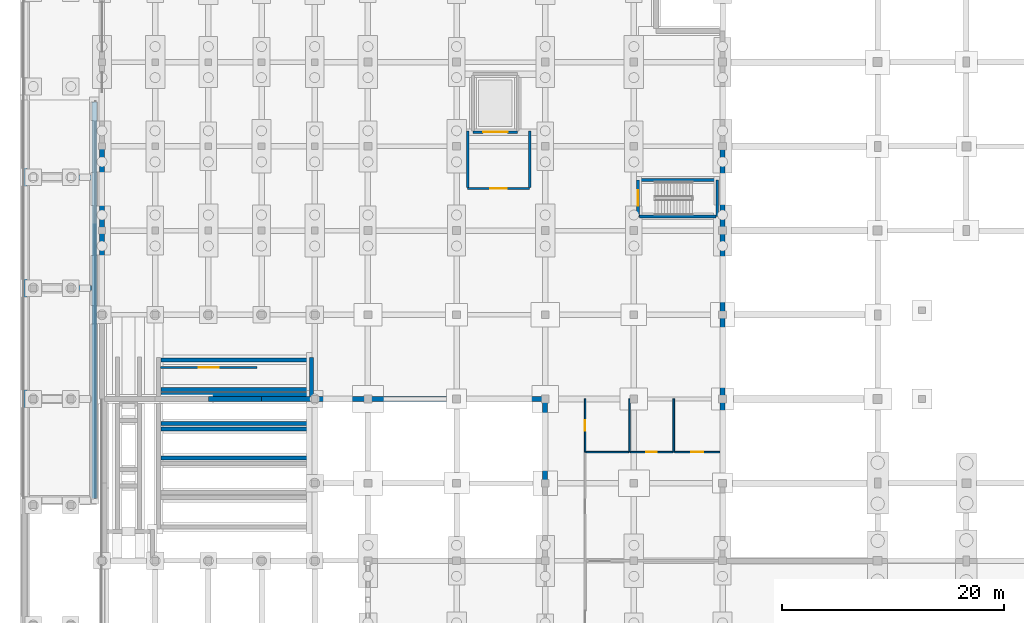
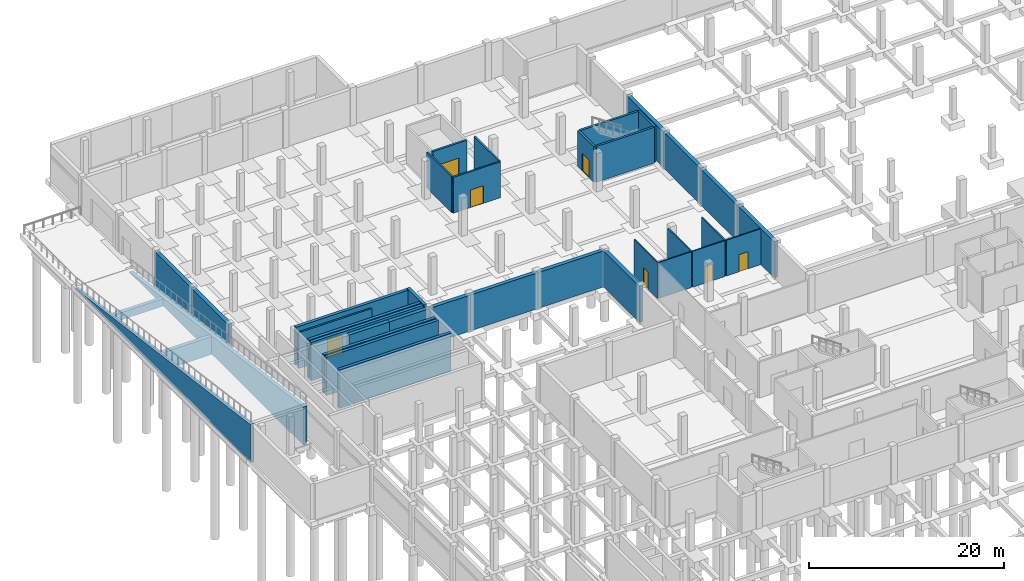
# One storey, part 35 of 50: 38 walls, 7 doors, 7 openings.
"""IFC4 building model written with IfcOpenShell, lengths in metres."""

from ifc_helpers import new_model, si_unit, direction, frame, frame_2d, origin, place, context, subcontext, project, spatial, polyline, rectangle, outline, extrude, material, layer, layer_set, type_object, element, fill, save


model = new_model("IFC4")

# Units and contexts
model_context = context("Model", 3, precision=1e-05, world=origin(), true_north=direction((0.0, 1.0)))
body_context = subcontext(model_context, "Body", "Model", "MODEL_VIEW")
ifc_project = project(units=[si_unit("LENGTHUNIT", "METRE"), si_unit("AREAUNIT", "SQUARE_METRE"), si_unit("VOLUMEUNIT", "CUBIC_METRE"), si_unit("PLANEANGLEUNIT", "RADIAN"), si_unit("MASSUNIT", "GRAM", prefix="KILO")], contexts=[model_context])

# Site, building, storey
site_placement = place(None, origin())
site = spatial("IfcSite", under=ifc_project, at=site_placement, CompositionType="ELEMENT")
building_placement = place(site_placement, origin())
building = spatial("IfcBuilding", under=site, at=building_placement, Name="Vekula Escarpment Museum", CompositionType="ELEMENT")
storey_placement = place(building_placement, frame((0.0, 0.0, -4.800048828125)))
storey = spatial("IfcBuildingStorey", under=building, at=storey_placement, Name="B1", CompositionType="ELEMENT", Elevation=-4.800048828125)

# Walls
ifc_material_1 = material(Name="Inkisi arkosic sandstone masonry", Category="masonry")
ifc_layer_1 = layer(ifc_material_1, 0.360107421875)
ifc_layer_set_1 = layer_set([ifc_layer_1], Name="Inkisi arkosic sandstone masonry")
wall_type_1 = type_object("IfcWallType", Name="WL-AMP-CHEEK", PredefinedType="SOLIDWALL", material=ifc_layer_set_1)
wall_1_placement = place(storey_placement, frame((18.89990234375, 98.22900390625, 0.0), z_axis=(0.0, 0.0, 1.0), x_axis=(0.0, 1.0, 0.0)))
element("IfcWall", 1, at=wall_1_placement, inside=storey, type_object=wall_type_1, Name="Escarpment Plinth Bowl Sub-Wall N-E", PredefinedType="SOLIDWALL", context=body_context, shape_type="SweptSolid", body=[
    extrude(rectangle(XDim=3.52099609375, YDim=0.360107421875, at=frame_2d((1.760498046875, 0.0))), origin(), (0.0, 0.0, 1.0), 4.800048828125),
])
for number, where, z_axis, x_axis, name in (
    (2, (5.35009765625, 98.8701171875, 0.0), (0.0, 0.0, 1.0), (1.0, 0.0, 0.0), "Escarpment Plinth Bench Sub-Wall 06F"),
    (3, (5.35009765625, 101.530029296875, 0.0), (0.0, 0.0, 1.0), (1.0, 0.0, 0.0), "Escarpment Plinth Bench Sub-Wall 06B"),
    (4, (5.35009765625, 95.77001953125, 0.0), (0.0, 0.0, 1.0), (1.0, 0.0, 0.0), "Escarpment Plinth Bench Sub-Wall 07F"),
    (5, (5.35009765625, 98.39990234375, 0.0), (0.0, 0.0, 1.0), (1.0, 0.0, 0.0), "Escarpment Plinth Bench Sub-Wall 07B"),
    (6, (5.35009765625, 92.669921875, 0.0), (0.0, 0.0, 1.0), (1.0, 0.0, 0.0), "Escarpment Plinth Bench Sub-Wall 08F"),
    (7, (5.35009765625, 95.300048828125, 0.0), (0.0, 0.0, 1.0), (1.0, 0.0, 0.0), "Escarpment Plinth Bench Sub-Wall 08B"),
):
    element("IfcWall", number, at=place(storey_placement, frame(where, z_axis=z_axis, x_axis=x_axis)), inside=storey, type_object=wall_type_1, Name=name, PredefinedType="SOLIDWALL", context=body_context, shape_type="SweptSolid", body=[
        extrude(rectangle(XDim=13.2998046875, YDim=0.360107421875, at=frame_2d((6.64990234375, 0.0))), origin(), (0.0, 0.0, 1.0), 4.800048828125),
    ])

# Wall, opening, door
ifc_material_2 = material(Name="Concrete C35/45", Category="concrete")
ifc_layer_2 = layer(ifc_material_2, 0.25)
ifc_layer_set_2 = layer_set([ifc_layer_2], Name="Concrete C35/45")
wall_type_2 = type_object("IfcWallType", Name="WL-CORE-250", PredefinedType="SHEAR", material=ifc_layer_set_2)
wall_2_placement = place(storey_placement, frame((48.375, 114.47509765625, 0.0), z_axis=(0.0, 0.0, 1.0), x_axis=(0.0, 1.0, 0.0)))
wall_2 = element("IfcWall", 8, at=wall_2_placement, inside=storey, type_object=wall_type_2, Name="Stair Core Wall ST-03 B1 W", PredefinedType="SHEAR", context=body_context, shape_type="SweptSolid", body=[
    extrude(rectangle(XDim=3.289794921875, YDim=0.25, at=frame_2d((1.64501953125, 0.0))), origin(), (0.0, 0.0, 1.0), 4.5),
])
opening_1_placement = place(wall_2_placement, frame((0.945068359375, 0.0, 0.0)))
opening_1 = element("IfcOpeningElement", 9, at=opening_1_placement, cuts=wall_2, Name="Opening DR-FD60", PredefinedType="OPENING", context=body_context, shape_type="SweptSolid", body=[
    extrude(rectangle(XDim=1.39990234375, YDim=2.199951171875, at=frame_2d((0.699951171875, 1.10009765625))), frame((0.0, 0.135009765625, 0.0), z_axis=(0.0, -1.0, 0.0), x_axis=(1.0, 0.0, 0.0)), (0.0, 0.0, 1.0), 0.27001953125),
])
ifc_material_3 = material(Name="Fire-rated steel stair door", Category="steel")
door_type_1 = type_object("IfcDoorType", Name="DR-STAIR-1400x2200", OperationType="NOTDEFINED", PredefinedType="DOOR", material=ifc_material_3)
door_1_placement = place(opening_1_placement, origin())
door_1 = element("IfcDoor", 10, at=door_1_placement, inside=storey, type_object=door_type_1, Name="Protected Exit Stair Door ST-03 B1", OperationType="SINGLE_SWING_RIGHT", OverallHeight=2.199951171875, OverallWidth=1.39990234375, PredefinedType="DOOR", context=body_context, shape_type="SweptSolid", body=[
    extrude(rectangle(XDim=1.39990234375, YDim=2.199951171875, at=frame_2d((0.699951171875, 1.10009765625))), frame((0.0, 0.02490234375, 0.0), z_axis=(0.0, -1.0, 0.0), x_axis=(1.0, 0.0, 0.0)), (0.0, 0.0, 1.0), 0.050048828125),
])
fill(opening_1, door_1)

# Walls
wall_3_placement = place(storey_placement, frame((55.52490234375, 114.47509765625, 0.0), z_axis=(0.0, 0.0, 1.0), x_axis=(0.0, 1.0, 0.0)))
element("IfcWall", 11, at=wall_3_placement, inside=storey, type_object=wall_type_2, Name="Stair Core Wall ST-03 B1 E", PredefinedType="SHEAR", context=body_context, shape_type="SweptSolid", body=[
    extrude(rectangle(XDim=3.289794921875, YDim=0.25, at=frame_2d((1.64501953125, 0.0))), origin(), (0.0, 0.0, 1.0), 4.5),
])
for number, where, z_axis, x_axis, name in (
    (12, (48.50390625, 114.47509765625, 0.0), (0.0, 0.0, 1.0), (1.0, 0.0, 0.0), "Stair Core Wall ST-03 B1 S"),
    (13, (48.50390625, 117.764892578125, 0.0), (0.0, 0.0, 1.0), (1.0, 0.0, 0.0), "Stair Core Wall ST-03 B1 N"),
):
    element("IfcWall", number, at=place(storey_placement, frame(where, z_axis=z_axis, x_axis=x_axis)), inside=storey, type_object=wall_type_2, Name=name, PredefinedType="SHEAR", context=body_context, shape_type="SweptSolid", body=[
        extrude(rectangle(XDim=6.89208984375, YDim=0.25, at=frame_2d((3.446044921875, 0.0))), origin(), (0.0, 0.0, 1.0), 4.5),
    ])

# Wall, opening, door
ifc_material_4 = material(Name="Concrete C35/45", Category="concrete")
ifc_layer_3 = layer(ifc_material_4, 0.199951171875)
ifc_layer_set_3 = layer_set([ifc_layer_3], Name="Concrete C35/45")
wall_type_3 = type_object("IfcWallType", Name="WL-FFL-200", PredefinedType="PARTITIONING", material=ifc_layer_set_3)
wall_4_placement = place(storey_placement, frame((33.0, 117.0, 0.0), z_axis=(0.0, 0.0, 1.0), x_axis=(1.0, 0.0, 0.0)))
wall_4 = element("IfcWall", 14, at=wall_4_placement, inside=storey, type_object=wall_type_3, Name="Lift Lobby Wall GL-01 B1 S", PredefinedType="PARTITIONING", context=body_context, shape_type="SweptSolid", body=[
    extrude(rectangle(XDim=5.60009765625, YDim=0.199951171875, at=frame_2d((2.800048828125, 0.0))), origin(), (0.0, 0.0, 1.0), 4.5),
])
opening_2_placement = place(wall_4_placement, frame((2.050048828125, 0.0, 0.0)))
opening_2 = element("IfcOpeningElement", 15, at=opening_2_placement, cuts=wall_4, Name="Opening DR-FD60L", PredefinedType="OPENING", context=body_context, shape_type="SweptSolid", body=[
    extrude(rectangle(XDim=1.5, YDim=2.199951171875, at=frame_2d((0.75, 1.10009765625))), frame((0.0, 0.10986328125, 0.0), z_axis=(0.0, -1.0, 0.0), x_axis=(1.0, 0.0, 0.0)), (0.0, 0.0, 1.0), 0.219970703125),
])
ifc_material_5 = material(Name="Fire-rated glazed lobby door", Category="steel")
door_type_2 = type_object("IfcDoorType", Name="DR-FFLOB-1500x2200", OperationType="NOTDEFINED", PredefinedType="DOOR", material=ifc_material_5)
door_2_placement = place(opening_2_placement, origin())
door_2 = element("IfcDoor", 16, at=door_2_placement, inside=storey, type_object=door_type_2, Name="Lift Lobby Fire Door GL-01 B1", OperationType="SINGLE_SWING_RIGHT", OverallHeight=2.199951171875, OverallWidth=1.5, PredefinedType="DOOR", context=body_context, shape_type="SweptSolid", body=[
    extrude(rectangle(XDim=1.5, YDim=2.199951171875, at=frame_2d((0.75, 1.10009765625))), frame((0.0, 0.02490234375, 0.0), z_axis=(0.0, -1.0, 0.0), x_axis=(1.0, 0.0, 0.0)), (0.0, 0.0, 1.0), 0.050048828125),
])
fill(opening_2, door_2)

# Walls
for number, where, z_axis, x_axis, name in (
    (17, (33.0, 117.10400390625, 0.0), (0.0, 0.0, 1.0), (0.0, 1.0, 0.0), "Lift Lobby Wall GL-01 B1 W"),
    (18, (38.60009765625, 117.10400390625, 0.0), (0.0, 0.0, 1.0), (0.0, 1.0, 0.0), "Lift Lobby Wall GL-01 B1 E"),
):
    element("IfcWall", number, at=place(storey_placement, frame(where, z_axis=z_axis, x_axis=x_axis)), inside=storey, type_object=wall_type_3, Name=name, PredefinedType="PARTITIONING", context=body_context, shape_type="SweptSolid", body=[
        extrude(rectangle(XDim=5.095947265625, YDim=0.199951171875, at=frame_2d((2.5478515625, 0.0))), origin(), (0.0, 0.0, 1.0), 4.5),
    ])

# Wall, opening, door
wall_5_placement = place(storey_placement, frame((5.283935546875, 100.85009765625, 0.0), z_axis=(0.0, 0.0, 1.0), x_axis=(1.0, 0.0, 0.0)))
wall_5 = element("IfcWall", 19, at=wall_5_placement, inside=storey, type_object=wall_type_3, Name="Interior Partition WL-INT-B1-0001", PredefinedType="PARTITIONING", context=body_context, shape_type="SweptSolid", body=[
    extrude(rectangle(XDim=8.716064453125, YDim=0.199951171875, at=frame_2d((4.35791015625, 0.0))), origin(), (0.0, 0.0, 1.0), 4.5),
])
opening_3_placement = place(wall_5_placement, frame((3.4580078125, 0.0, 0.0)))
opening_3 = element("IfcOpeningElement", 20, at=opening_3_placement, cuts=wall_5, Name="Opening DR-FD120", PredefinedType="OPENING", context=body_context, shape_type="SweptSolid", body=[
    extrude(rectangle(XDim=1.800048828125, YDim=2.39990234375, at=frame_2d((0.89990234375, 1.199951171875))), frame((0.0, 0.10986328125, 0.0), z_axis=(0.0, -1.0, 0.0), x_axis=(1.0, 0.0, 0.0)), (0.0, 0.0, 1.0), 0.219970703125),
])
ifc_material_6 = material(Name="Fire-rated steel archive vault door", Category="steel")
door_type_3 = type_object("IfcDoorType", Name="DR-VAULT-1800x2400", OperationType="NOTDEFINED", PredefinedType="DOOR", material=ifc_material_6)
door_3_placement = place(opening_3_placement, origin())
door_3 = element("IfcDoor", 21, at=door_3_placement, inside=storey, type_object=door_type_3, Name="Interior Door B1-001", OperationType="SINGLE_SWING_LEFT", OverallHeight=2.39990234375, OverallWidth=1.800048828125, PredefinedType="DOOR", context=body_context, shape_type="SweptSolid", body=[
    extrude(rectangle(XDim=1.800048828125, YDim=2.39990234375, at=frame_2d((0.89990234375, 1.199951171875))), frame((0.0, 0.02490234375, 0.0), z_axis=(0.0, -1.0, 0.0), x_axis=(1.0, 0.0, 0.0)), (0.0, 0.0, 1.0), 0.050048828125),
])
fill(opening_3, door_3)

ifc_material_7 = material(Name="Moisture-resistant wet-room partition", Category="gypsum")
ifc_layer_4 = layer(ifc_material_7, 0.139892578125)
ifc_layer_set_4 = layer_set([ifc_layer_4], Name="Moisture-resistant wet-room partition")
wall_type_4 = type_object("IfcWallType", Name="WL-PART-140", PredefinedType="PARTITIONING", material=ifc_layer_set_4)
wall_6_placement = place(storey_placement, frame((43.60009765625, 93.199951171875, 0.0), z_axis=(0.0, 0.0, 1.0), x_axis=(0.0, 1.0, 0.0)))
wall_6 = element("IfcWall", 22, at=wall_6_placement, inside=storey, type_object=wall_type_4, Name="Interior Partition WL-INT-B1-0002", PredefinedType="PARTITIONING", context=body_context, shape_type="SweptSolid", body=[
    extrude(rectangle(XDim=4.800048828125, YDim=0.139892578125, at=frame_2d((2.39990234375, 0.0))), origin(), (0.0, 0.0, 1.0), 4.5),
])
opening_4_placement = place(wall_6_placement, frame((1.925048828125, 0.0, 0.0)))
opening_4 = element("IfcOpeningElement", 23, at=opening_4_placement, cuts=wall_6, Name="Opening DR-WC09", PredefinedType="OPENING", context=body_context, shape_type="SweptSolid", body=[
    extrude(rectangle(XDim=0.949951171875, YDim=2.10009765625, at=frame_2d((0.47509765625, 1.050048828125))), frame((0.0, 0.079833984375, 0.0), z_axis=(0.0, -1.0, 0.0), x_axis=(1.0, 0.0, 0.0)), (0.0, 0.0, 1.0), 0.159912109375),
])
ifc_material_8 = material(Name="Laminate washroom door", Category="wood")
door_type_4 = type_object("IfcDoorType", Name="DR-WC-0950x2100", OperationType="NOTDEFINED", PredefinedType="DOOR", material=ifc_material_8)
door_4_placement = place(opening_4_placement, origin())
door_4 = element("IfcDoor", 24, at=door_4_placement, inside=storey, type_object=door_type_4, Name="Interior Door B1-002", OperationType="SINGLE_SWING_RIGHT", OverallHeight=2.10009765625, OverallWidth=0.949951171875, PredefinedType="DOOR", context=body_context, shape_type="SweptSolid", body=[
    extrude(rectangle(XDim=0.949951171875, YDim=2.10009765625, at=frame_2d((0.47509765625, 1.050048828125))), frame((0.0, 0.02490234375, 0.0), z_axis=(0.0, -1.0, 0.0), x_axis=(1.0, 0.0, 0.0)), (0.0, 0.0, 1.0), 0.050048828125),
])
fill(opening_4, door_4)

# Walls
wall_7_placement = place(storey_placement, frame((47.60009765625, 93.199951171875, 0.0), z_axis=(0.0, 0.0, 1.0), x_axis=(0.0, 1.0, 0.0)))
element("IfcWall", 25, at=wall_7_placement, inside=storey, type_object=wall_type_4, Name="Interior Partition WL-INT-B1-0004", PredefinedType="PARTITIONING", context=body_context, shape_type="SweptSolid", body=[
    extrude(rectangle(XDim=4.800048828125, YDim=0.139892578125, at=frame_2d((2.39990234375, 0.0))), origin(), (0.0, 0.0, 1.0), 4.5),
])
wall_8_placement = place(storey_placement, frame((43.674072265625, 93.199951171875, 0.0), z_axis=(0.0, 0.0, 1.0), x_axis=(1.0, 0.0, 0.0)))
element("IfcWall", 26, at=wall_8_placement, inside=storey, type_object=wall_type_4, Name="Interior Partition WL-INT-B1-0005", PredefinedType="PARTITIONING", context=body_context, shape_type="SweptSolid", body=[
    extrude(rectangle(XDim=3.851806640625, YDim=0.139892578125, at=frame_2d((1.92578125, 0.0))), origin(), (0.0, 0.0, 1.0), 4.5),
])
wall_9_placement = place(storey_placement, frame((51.60009765625, 93.199951171875, 0.0), z_axis=(0.0, 0.0, 1.0), x_axis=(0.0, 1.0, 0.0)))
element("IfcWall", 27, at=wall_9_placement, inside=storey, type_object=wall_type_4, Name="Interior Partition WL-INT-B1-0006", PredefinedType="PARTITIONING", context=body_context, shape_type="SweptSolid", body=[
    extrude(rectangle(XDim=4.800048828125, YDim=0.139892578125, at=frame_2d((2.39990234375, 0.0))), origin(), (0.0, 0.0, 1.0), 4.5),
])

# Wall, opening, door
wall_10_placement = place(storey_placement, frame((47.674072265625, 93.199951171875, 0.0), z_axis=(0.0, 0.0, 1.0), x_axis=(1.0, 0.0, 0.0)))
wall_10 = element("IfcWall", 28, at=wall_10_placement, inside=storey, type_object=wall_type_4, Name="Interior Partition WL-INT-B1-0007", PredefinedType="PARTITIONING", context=body_context, shape_type="SweptSolid", body=[
    extrude(rectangle(XDim=3.851806640625, YDim=0.139892578125, at=frame_2d((1.92578125, 0.0))), origin(), (0.0, 0.0, 1.0), 4.5),
])
opening_5_placement = place(wall_10_placement, frame((1.450927734375, 0.0, 0.0)))
opening_5 = element("IfcOpeningElement", 29, at=opening_5_placement, cuts=wall_10, Name="Opening DR-WC09", PredefinedType="OPENING", context=body_context, shape_type="SweptSolid", body=[
    extrude(rectangle(XDim=0.949951171875, YDim=2.10009765625, at=frame_2d((0.47509765625, 1.050048828125))), frame((0.0, 0.079833984375, 0.0), z_axis=(0.0, -1.0, 0.0), x_axis=(1.0, 0.0, 0.0)), (0.0, 0.0, 1.0), 0.159912109375),
])
door_5_placement = place(opening_5_placement, origin())
door_5 = element("IfcDoor", 30, at=door_5_placement, inside=storey, type_object=door_type_4, Name="Interior Door B1-004", OperationType="SINGLE_SWING_RIGHT", OverallHeight=2.10009765625, OverallWidth=0.949951171875, PredefinedType="DOOR", context=body_context, shape_type="SweptSolid", body=[
    extrude(rectangle(XDim=0.949951171875, YDim=2.10009765625, at=frame_2d((0.47509765625, 1.050048828125))), frame((0.0, 0.02490234375, 0.0), z_axis=(0.0, -1.0, 0.0), x_axis=(1.0, 0.0, 0.0)), (0.0, 0.0, 1.0), 0.050048828125),
])
fill(opening_5, door_5)

wall_11_placement = place(storey_placement, frame((51.674072265625, 93.199951171875, 0.0), z_axis=(0.0, 0.0, 1.0), x_axis=(1.0, 0.0, 0.0)))
wall_11 = element("IfcWall", 31, at=wall_11_placement, inside=storey, type_object=wall_type_4, Name="Interior Partition WL-INT-B1-0008", PredefinedType="PARTITIONING", context=body_context, shape_type="SweptSolid", body=[
    extrude(rectangle(XDim=4.096923828125, YDim=0.139892578125, at=frame_2d((2.04833984375, 0.0))), origin(), (0.0, 0.0, 1.0), 4.5),
])
opening_6_placement = place(wall_11_placement, frame((1.5234375, 0.0, 0.0)))
opening_6 = element("IfcOpeningElement", 32, at=opening_6_placement, cuts=wall_11, Name="Opening DR-PM10", PredefinedType="OPENING", context=body_context, shape_type="SweptSolid", body=[
    extrude(rectangle(XDim=1.050048828125, YDim=2.14990234375, at=frame_2d((0.52490234375, 1.074951171875))), frame((0.0, 0.079833984375, 0.0), z_axis=(0.0, -1.0, 0.0), x_axis=(1.0, 0.0, 0.0)), (0.0, 0.0, 1.0), 0.159912109375),
])
ifc_material_9 = material(Name="Accessible PMR washroom door", Category="steel")
door_type_5 = type_object("IfcDoorType", Name="DR-PMR-1050x2150", OperationType="NOTDEFINED", PredefinedType="DOOR", material=ifc_material_9)
door_6_placement = place(opening_6_placement, origin())
door_6 = element("IfcDoor", 33, at=door_6_placement, inside=storey, type_object=door_type_5, Name="Interior Door B1-005", OperationType="SINGLE_SWING_LEFT", OverallHeight=2.14990234375, OverallWidth=1.050048828125, PredefinedType="DOOR", context=body_context, shape_type="SweptSolid", body=[
    extrude(rectangle(XDim=1.050048828125, YDim=2.14990234375, at=frame_2d((0.52490234375, 1.074951171875))), frame((0.0, 0.02490234375, 0.0), z_axis=(0.0, -1.0, 0.0), x_axis=(1.0, 0.0, 0.0)), (0.0, 0.0, 1.0), 0.050048828125),
])
fill(opening_6, door_6)

# Walls
ifc_material_10 = material(Name="Concrete C35/45", Category="concrete")
ifc_layer_5 = layer(ifc_material_10, 0.449951171875)
ifc_layer_set_5 = layer_set([ifc_layer_5], Name="Concrete C35/45")
wall_type_5 = type_object("IfcWallType", Name="WL-RET-450", PredefinedType="USERDEFINED", material=ifc_layer_set_5)
for number, where, z_axis, x_axis, name in (
    (34, (56.0, 98.0, 0.0), (0.0, 0.0, 1.0), (0.0, -1.0, 0.0), "Exterior Wall WL-EXT-B1-0020"),
    (35, (56.0, 105.60009765625, 0.0), (0.0, 0.0, 1.0), (0.0, -1.0, 0.0), "Exterior Wall WL-EXT-B1-0021"),
):
    element("IfcWall", number, at=place(storey_placement, frame(where, z_axis=z_axis, x_axis=x_axis)), inside=storey, type_object=wall_type_5, Name=name, ObjectType="RETAINING WALL", PredefinedType="USERDEFINED", context=body_context, shape_type="SweptSolid", body=[
        extrude(rectangle(XDim=7.60009765625, YDim=0.449951171875, at=frame_2d((3.800048828125, 0.0))), origin(), (0.0, 0.0, 1.0), 4.5),
    ])
wall_12_placement = place(storey_placement, frame((56.0, 113.199951171875, 0.0), z_axis=(0.0, 0.0, 1.0), x_axis=(0.0, -1.0, 0.0)))
element("IfcWall", 36, at=wall_12_placement, inside=storey, type_object=wall_type_5, Name="Exterior Wall WL-EXT-B1-0022", ObjectType="RETAINING WALL", PredefinedType="USERDEFINED", context=body_context, shape_type="SweptSolid", body=[
    extrude(rectangle(XDim=7.599853515625, YDim=0.449951171875, at=frame_2d((3.7998046875, 0.0))), origin(), (0.0, 0.0, 1.0), 4.5),
])
for number, where, z_axis, x_axis, name in (
    (37, (56.0, 120.800048828125, 0.0), (0.0, 0.0, 1.0), (0.0, -1.0, 0.0), "Exterior Wall WL-EXT-B1-0023"),
    (38, (0.0, 113.199951171875, 0.0), (0.0, 0.0, 1.0), (0.0, 1.0, 0.0), "Exterior Wall WL-EXT-B1-0039"),
):
    element("IfcWall", number, at=place(storey_placement, frame(where, z_axis=z_axis, x_axis=x_axis)), inside=storey, type_object=wall_type_5, Name=name, ObjectType="RETAINING WALL", PredefinedType="USERDEFINED", context=body_context, shape_type="SweptSolid", body=[
        extrude(rectangle(XDim=7.60009765625, YDim=0.449951171875, at=frame_2d((3.800048828125, 0.0))), origin(), (0.0, 0.0, 1.0), 4.5),
    ])
wall_13_placement = place(storey_placement, frame((0.0, 105.60009765625, 0.0), z_axis=(0.0, 0.0, 1.0), x_axis=(0.0, 1.0, 0.0)))
element("IfcWall", 39, at=wall_13_placement, inside=storey, type_object=wall_type_5, Name="Exterior Wall WL-EXT-B1-0040", ObjectType="RETAINING WALL", PredefinedType="USERDEFINED", context=body_context, shape_type="SweptSolid", body=[
    extrude(rectangle(XDim=7.599853515625, YDim=0.449951171875, at=frame_2d((3.7998046875, 0.0))), origin(), (0.0, 0.0, 1.0), 4.5),
])
wall_14_placement = place(storey_placement, frame((14.39990234375, 98.0, 0.0), z_axis=(0.0, 0.0, 1.0), x_axis=(-1.0, 0.0, 0.0)))
element("IfcWall", 40, at=wall_14_placement, inside=storey, type_object=wall_type_5, Name="Exterior Wall WL-EXT-B1-0044", ObjectType="RETAINING WALL", PredefinedType="USERDEFINED", context=body_context, shape_type="SweptSolid", body=[
    extrude(rectangle(XDim=4.7998046875, YDim=0.449951171875, at=frame_2d((2.39990234375, 0.0))), origin(), (0.0, 0.0, 1.0), 4.5),
])
for number, where, z_axis, x_axis, name in (
    (41, (19.199951171875, 98.0, 0.0), (0.0, 0.0, 1.0), (-1.0, 0.0, 0.0), "Exterior Wall WL-EXT-B1-0045"),
    (42, (24.0, 98.0, 0.0), (0.0, 0.0, 1.0), (-1.0, 0.0, 0.0), "Exterior Wall WL-EXT-B1-0046"),
):
    element("IfcWall", number, at=place(storey_placement, frame(where, z_axis=z_axis, x_axis=x_axis)), inside=storey, type_object=wall_type_5, Name=name, ObjectType="RETAINING WALL", PredefinedType="USERDEFINED", context=body_context, shape_type="SweptSolid", body=[
        extrude(rectangle(XDim=4.800048828125, YDim=0.449951171875, at=frame_2d((2.39990234375, 0.0))), origin(), (0.0, 0.0, 1.0), 4.5),
    ])
for number, where, z_axis, x_axis, name in (
    (43, (32.0, 98.0, 0.0), (0.0, 0.0, 1.0), (-1.0, 0.0, 0.0), "Exterior Wall WL-EXT-B1-0047"),
    (44, (40.0, 98.0, 0.0), (0.0, 0.0, 1.0), (-1.0, 0.0, 0.0), "Exterior Wall WL-EXT-B1-0048"),
):
    element("IfcWall", number, at=place(storey_placement, frame(where, z_axis=z_axis, x_axis=x_axis)), inside=storey, type_object=wall_type_5, Name=name, ObjectType="RETAINING WALL", PredefinedType="USERDEFINED", context=body_context, shape_type="SweptSolid", body=[
        extrude(rectangle(XDim=8.0, YDim=0.449951171875, at=frame_2d((4.0, 0.0))), origin(), (0.0, 0.0, 1.0), 4.5),
    ])
wall_15_placement = place(storey_placement, frame((40.0, 90.39990234375, 0.0), z_axis=(0.0, 0.0, 1.0), x_axis=(0.0, 1.0, 0.0)))
element("IfcWall", 45, at=wall_15_placement, inside=storey, type_object=wall_type_5, Name="Exterior Wall WL-EXT-B1-0049", ObjectType="RETAINING WALL", PredefinedType="USERDEFINED", context=body_context, shape_type="SweptSolid", body=[
    extrude(rectangle(XDim=7.37109375, YDim=0.449951171875, at=frame_2d((3.685546875, 0.0))), origin(), (0.0, 0.0, 1.0), 4.5),
])
wall_16_placement = place(storey_placement, frame((-6.97509765625, 89.0, -0.300048828125), z_axis=(0.0, 0.0, 1.0), x_axis=(0.0, 1.0, 0.0)))
element("IfcWall", 46, at=wall_16_placement, inside=storey, type_object=wall_type_5, Name="Vehicle Ramp Retaining Wall RMP-SLOPE-W", ObjectType="RETAINING WALL", PredefinedType="USERDEFINED", context=body_context, shape_type="SweptSolid", body=[
    extrude(outline(polyline([(0.0, 0.0), (36.0, 0.0), (36.0, 0.050048828125), (0.0, 4.800048828125), (0.0, 0.0)])), frame((0.0, 0.22509765625, 0.0), z_axis=(0.0, -1.0, 0.0), x_axis=(1.0, 0.0, 0.0)), (0.0, 0.0, 1.0), 0.449951171875),
])
wall_17_placement = place(storey_placement, frame((-0.68505859375, 89.0, -0.300048828125), z_axis=(0.0, 0.0, 1.0), x_axis=(0.0, 1.0, 0.0)))
element("IfcWall", 47, at=wall_17_placement, inside=storey, type_object=wall_type_5, Name="Vehicle Ramp Retaining Wall RMP-SLOPE-E", ObjectType="RETAINING WALL", PredefinedType="USERDEFINED", context=body_context, shape_type="SweptSolid", body=[
    extrude(outline(polyline([(0.0, 0.0), (35.800048828125, 0.0), (35.800048828125, 0.050048828125), (0.0, 4.800048828125), (0.0, 0.0)])), frame((0.0, 0.22509765625, 0.0), z_axis=(0.0, -1.0, 0.0), x_axis=(1.0, 0.0, 0.0)), (0.0, 0.0, 1.0), 0.449951171875),
])
wall_18_placement = place(storey_placement, frame((-6.699951171875, 108.0, -0.300048828125), z_axis=(0.0, 0.0, 1.0), x_axis=(1.0, 0.0, 0.0)))
element("IfcWall", 48, at=wall_18_placement, inside=storey, type_object=wall_type_5, Name="Vehicle Ramp Retaining Wall RMP-X-108", ObjectType="RETAINING WALL", PredefinedType="USERDEFINED", context=body_context, shape_type="SweptSolid", body=[
    extrude(rectangle(XDim=5.75, YDim=0.449951171875, at=frame_2d((2.875, 0.0))), origin(), (0.0, 0.0, 1.0), 2.260009765625),
])
wall_19_placement = place(storey_placement, frame((-6.699951171875, 118.0, -0.300048828125), z_axis=(0.0, 0.0, 1.0), x_axis=(1.0, 0.0, 0.0)))
element("IfcWall", 49, at=wall_19_placement, inside=storey, type_object=wall_type_5, Name="Vehicle Ramp Retaining Wall RMP-X-118", ObjectType="RETAINING WALL", PredefinedType="USERDEFINED", context=body_context, shape_type="SweptSolid", body=[
    extrude(rectangle(XDim=5.75, YDim=0.449951171875, at=frame_2d((2.875, 0.0))), origin(), (0.0, 0.0, 1.0), 0.93017578125),
])

# Wall, opening, door
ifc_material_11 = material(Name="Concrete C35/45", Category="concrete")
ifc_layer_6 = layer(ifc_material_11, 0.239990234375)
ifc_layer_set_6 = layer_set([ifc_layer_6], Name="Concrete C35/45")
wall_type_6 = type_object("IfcWallType", Name="WL-SHF-240", PredefinedType="SHEAR", material=ifc_layer_set_6)
wall_20_placement = place(storey_placement, frame((33.47998046875, 122.080078125, 0.0), z_axis=(0.0, 0.0, 1.0), x_axis=(1.0, 0.0, 0.0)))
wall_20 = element("IfcWall", 50, at=wall_20_placement, inside=storey, type_object=wall_type_6, Name="Lift Shaft Wall GL-01 B1 S", PredefinedType="SHEAR", context=body_context, shape_type="SweptSolid", body=[
    extrude(rectangle(XDim=4.0400390625, YDim=0.239990234375, at=frame_2d((2.02001953125, 0.0))), origin(), (0.0, 0.0, 1.0), 4.5),
])
opening_7_placement = place(wall_20_placement, frame((0.919921875, 0.0, 0.0)))
opening_7 = element("IfcOpeningElement", 51, at=opening_7_placement, cuts=wall_20, Name="Opening LD-GDS", PredefinedType="OPENING", context=body_context, shape_type="SweptSolid", body=[
    extrude(rectangle(XDim=2.199951171875, YDim=2.60009765625, at=frame_2d((1.10009765625, 1.300048828125))), frame((0.0, 0.1298828125, 0.0), z_axis=(0.0, -1.0, 0.0), x_axis=(1.0, 0.0, 0.0)), (0.0, 0.0, 1.0), 0.260009765625),
])
ifc_material_12 = material(Name="Heavy-duty bi-parting goods lift landing door", Category="steel")
door_type_6 = type_object("IfcDoorType", Name="DR-LD-GDS-2200", OperationType="DOUBLE_DOOR_SLIDING", PredefinedType="DOOR", material=ifc_material_12)
door_7_placement = place(opening_7_placement, origin())
door_7 = element("IfcDoor", 52, at=door_7_placement, inside=storey, type_object=door_type_6, Name="Sliding Lift Landing Door GL-01 B1", OperationType="DOUBLE_DOOR_SLIDING", OverallHeight=2.60009765625, OverallWidth=2.199951171875, PredefinedType="DOOR", context=body_context, shape_type="SweptSolid", body=[
    extrude(rectangle(XDim=2.199951171875, YDim=2.60009765625, at=frame_2d((1.10009765625, 1.300048828125))), frame((0.0, 0.02490234375, 0.0), z_axis=(0.0, -1.0, 0.0), x_axis=(1.0, 0.0, 0.0)), (0.0, 0.0, 1.0), 0.050048828125),
])
fill(opening_7, door_7)

save(model, "model.ifc")
